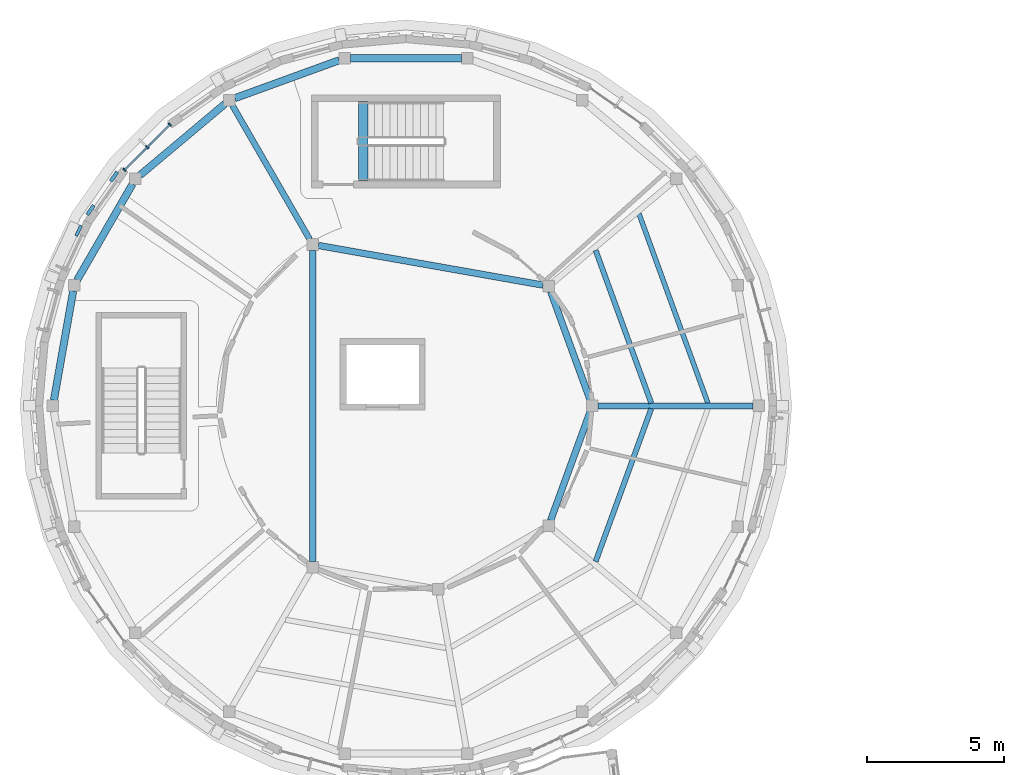
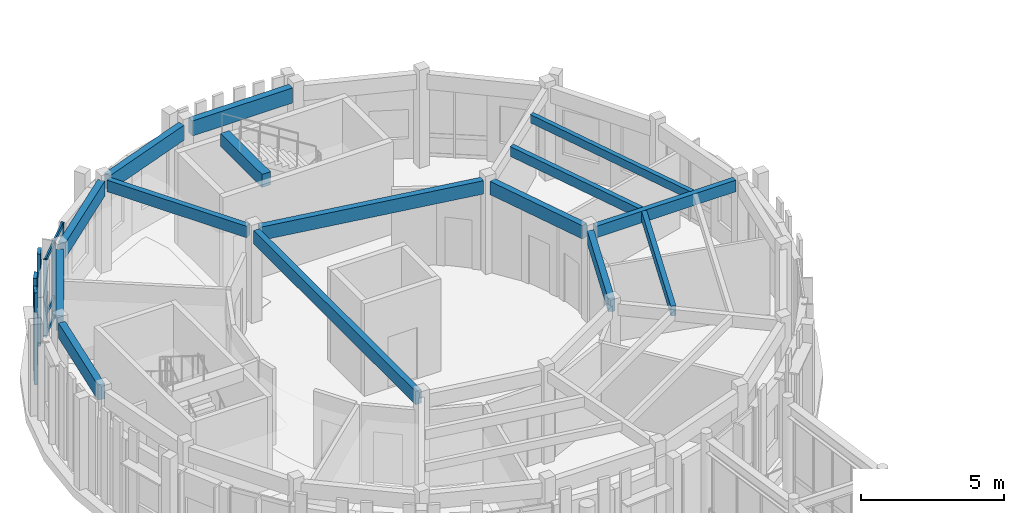
# One storey, part 20 of 80: 15 beams, 9 members, 1 element without a shape of its own.
"""IFC4 building model written with IfcOpenShell, lengths in metres."""

from ifc_helpers import new_model, si_unit, direction, frame, origin, origin_2d, place, context, subcontext, project, spatial, rectangle, extrude, material, layer, layer_set, material_profile, profile_set, type_object, element, aggregate, save


model = new_model("IFC4")

# Units and contexts
model_context = context("Model", 3, precision=1e-05, world=origin(), true_north=direction((0.0, 1.0)))
body_context = subcontext(model_context, "Body", "Model", "MODEL_VIEW")
ifc_project = project(units=[si_unit("LENGTHUNIT", "METRE"), si_unit("AREAUNIT", "SQUARE_METRE"), si_unit("VOLUMEUNIT", "CUBIC_METRE"), si_unit("PLANEANGLEUNIT", "RADIAN"), si_unit("MASSUNIT", "GRAM", prefix="KILO")], contexts=[model_context])

# Site, building, storey
site_placement = place(None, origin())
site = spatial("IfcSite", under=ifc_project, at=site_placement, CompositionType="ELEMENT")
building_placement = place(site_placement, origin())
building = spatial("IfcBuilding", under=site, at=building_placement, Name="Aldenvaro Health Centre", CompositionType="ELEMENT")
storey_placement = place(building_placement, frame((0.0, 0.0, 4.550048828125)))
storey = spatial("IfcBuildingStorey", under=building, at=storey_placement, Name="L01", CompositionType="ELEMENT", Elevation=4.550048828125)

# Beams
ifc_material_1 = material(Name="Glulam GL28h", Category="wood")
ifc_material_profile_1 = material_profile(ifc_material_1, rectangle(XDim=0.175048828125, YDim=0.35009765625, at=origin_2d()), Name="GL 175x350", Category="wood")
ifc_profile_set_1 = profile_set([ifc_material_profile_1], Name="Glulam GL28h")
beam_type_1 = type_object("IfcBeamType", Name="BM-GL-350", PredefinedType="JOIST", material=ifc_profile_set_1)
beam_1_placement = place(storey_placement, frame((29.51904296875, 99.60107421875, 3.780029296875), z_axis=(-0.341985813082, 0.939705115263, 0.0), x_axis=(-0.939705115263, -0.341985813082, 0.0)))
element("IfcBeam", 1, at=beam_1_placement, inside=storey, type_object=beam_type_1, Name="D4 L01 secondary joist 01.2", PredefinedType="JOIST", context=body_context, shape_type="SweptSolid", body=[
    extrude(rectangle(XDim=0.175048828125, YDim=0.35009765625, at=origin_2d()), origin(), (0.0, 0.0, 1.0), 7.34814453125),
])
ifc_material_profile_2 = material_profile(ifc_material_1, rectangle(XDim=0.18994140625, YDim=0.41796875, at=origin_2d()), Name="GL 190x418", Category="wood")
ifc_profile_set_2 = profile_set([ifc_material_profile_2], Name="Glulam GL28h")
beam_type_2 = type_object("IfcBeamType", Name="BM-GL-418", PredefinedType="JOIST", material=ifc_profile_set_2)
for number, where, z_axis, x_axis, name in (
    (2, (27.451904296875, 99.60107421875, 3.745849609375), (-0.341921455433, 0.939728534373, 0.0), (-0.939728534373, -0.341921455433, 0.0), "D4 L01 secondary joist 01.1"),
    (3, (25.423095703125, 93.822998046875, 3.745849609375), (0.341921455433, 0.939728534373, 0.0), (-0.939728534373, 0.341921455433, 0.0), "D4 L01 secondary joist 06.1"),
):
    element("IfcBeam", number, at=place(storey_placement, frame(where, z_axis=z_axis, x_axis=x_axis)), inside=storey, type_object=beam_type_2, Name=name, PredefinedType="JOIST", context=body_context, shape_type="SweptSolid", body=[
        extrude(rectangle(XDim=0.18994140625, YDim=0.41796875, at=origin_2d()), origin(), (0.0, 0.0, 1.0), 5.93359375),
    ])
ifc_material_profile_3 = material_profile(ifc_material_1, rectangle(XDim=0.215087890625, YDim=0.493896484375, at=origin_2d()), Name="GL 215x494", Category="wood")
ifc_profile_set_3 = profile_set([ifc_material_profile_3], Name="Glulam GL28h")
beam_type_3 = type_object("IfcBeamType", Name="BM-GL-494", PredefinedType="BEAM", material=ifc_profile_set_3)
beam_2_placement = place(storey_placement, frame((25.510009765625, 99.5, 3.7080078125), z_axis=(1.0, 0.0, 0.0), x_axis=(0.0, 1.0, 0.0)))
element("IfcBeam", 4, at=beam_2_placement, inside=storey, type_object=beam_type_3, Name="D4 L01 radial beam 01", PredefinedType="BEAM", context=body_context, shape_type="SweptSolid", body=[
    extrude(rectangle(XDim=0.215087890625, YDim=0.493896484375, at=origin_2d()), origin(), (0.0, 0.0, 1.0), 5.659912109375),
])
beam_3_placement = place(storey_placement, frame((14.9951171875, 105.571044921875, 3.7080078125), z_axis=(-0.500073465784, 0.865982984139, 0.0), x_axis=(-0.865982984139, -0.500073465784, 0.0)))
element("IfcBeam", 5, at=beam_3_placement, inside=storey, type_object=beam_type_3, Name="D4 L01 radial beam 03", PredefinedType="BEAM", context=body_context, shape_type="SweptSolid", body=[
    extrude(rectangle(XDim=0.215087890625, YDim=0.493896484375, at=origin_2d()), origin(), (0.0, 0.0, 1.0), 5.659423828125),
])
ifc_material_profile_4 = material_profile(ifc_material_1, rectangle(XDim=0.239990234375, YDim=0.570068359375, at=origin_2d()), Name="GL 240x570", Category="wood")
ifc_profile_set_4 = profile_set([ifc_material_profile_4], Name="Glulam GL28h")
beam_type_4 = type_object("IfcBeamType", Name="BM-GL-570", PredefinedType="BEAM", material=ifc_profile_set_4)
beam_4_placement = place(storey_placement, frame((25.22802734375, 99.697021484375, 3.669921875), z_axis=(-0.34191443591, 0.939731088406, 0.0), x_axis=(-0.939731088406, -0.34191443591, 0.0)))
element("IfcBeam", 6, at=beam_4_placement, inside=storey, type_object=beam_type_4, Name="D4 L01 inner ring beam 01", PredefinedType="BEAM", context=body_context, shape_type="SweptSolid", body=[
    extrude(rectangle(XDim=0.239990234375, YDim=0.570068359375, at=origin_2d()), origin(), (0.0, 0.0, 1.0), 4.232177734375),
])
beam_5_placement = place(storey_placement, frame((23.501953125, 103.906982421875, 3.669921875), z_axis=(-0.984786512159, 0.173768597477, 0.0), x_axis=(-0.173768597477, -0.984786512159, 0.0)))
element("IfcBeam", 7, at=beam_5_placement, inside=storey, type_object=beam_type_4, Name="D4 L01 inner ring beam 02", PredefinedType="BEAM", context=body_context, shape_type="SweptSolid", body=[
    extrude(rectangle(XDim=0.239990234375, YDim=0.570068359375, at=origin_2d()), origin(), (0.0, 0.0, 1.0), 8.32177734375),
])
beam_6_placement = place(storey_placement, frame((15.10009765625, 105.178955078125, 3.669921875), z_axis=(0.0, -1.0, 0.0), x_axis=(1.0, 0.0, 0.0)))
element("IfcBeam", 8, at=beam_6_placement, inside=storey, type_object=beam_type_4, Name="D4 L01 inner ring beam 03", PredefinedType="BEAM", context=body_context, shape_type="SweptSolid", body=[
    extrude(rectangle(XDim=0.239990234375, YDim=0.570068359375, at=origin_2d()), origin(), (0.0, 0.0, 1.0), 11.35791015625),
])
beam_7_placement = place(storey_placement, frame((23.781005859375, 95.325927734375, 3.669921875), z_axis=(0.34191443591, 0.939731088406, 0.0), x_axis=(-0.939731088406, 0.34191443591, 0.0)))
element("IfcBeam", 9, at=beam_7_placement, inside=storey, type_object=beam_type_4, Name="D4 L01 inner ring beam 06", PredefinedType="BEAM", context=body_context, shape_type="SweptSolid", body=[
    extrude(rectangle(XDim=0.239990234375, YDim=0.570068359375, at=origin_2d()), origin(), (0.0, 0.0, 1.0), 4.232177734375),
])
ifc_material_profile_5 = material_profile(ifc_material_1, rectangle(XDim=0.264892578125, YDim=0.64599609375, at=origin_2d()), Name="GL 265x646", Category="wood")
ifc_profile_set_5 = profile_set([ifc_material_profile_5], Name="Glulam GL28h")
beam_type_5 = type_object("IfcBeamType", Name="BM-GL-646", PredefinedType="SPANDREL", material=ifc_profile_set_5)
beam_8_placement = place(storey_placement, frame((20.527099609375, 112.18408203125, 3.6318359375), z_axis=(-1.0, 0.0, 0.0), x_axis=(0.0, -1.0, 0.0)))
element("IfcBeam", 10, at=beam_8_placement, inside=storey, type_object=beam_type_5, Name="D4 L01 perimeter spandrel 05", PredefinedType="SPANDREL", context=body_context, shape_type="SweptSolid", body=[
    extrude(rectangle(XDim=0.264892578125, YDim=0.64599609375, at=origin_2d()), origin(), (0.0, 0.0, 1.0), 4.05419921875),
])
beam_9_placement = place(storey_placement, frame((16.06591796875, 112.112060546875, 3.6318359375), z_axis=(-0.939717777656, -0.341951017483, 0.0), x_axis=(0.341951017483, -0.939717777656, 0.0)))
element("IfcBeam", 11, at=beam_9_placement, inside=storey, type_object=beam_type_5, Name="D4 L01 perimeter spandrel 06", PredefinedType="SPANDREL", context=body_context, shape_type="SweptSolid", body=[
    extrude(rectangle(XDim=0.264892578125, YDim=0.64599609375, at=origin_2d()), origin(), (0.0, 0.0, 1.0), 4.05322265625),
])
beam_10_placement = place(storey_placement, frame((11.89892578125, 110.51904296875, 3.6318359375), z_axis=(-0.766093948171, -0.642728607248, 0.0), x_axis=(0.642728607248, -0.766093948171, 0.0)))
element("IfcBeam", 12, at=beam_10_placement, inside=storey, type_object=beam_type_5, Name="D4 L01 perimeter spandrel 07", PredefinedType="SPANDREL", context=body_context, shape_type="SweptSolid", body=[
    extrude(rectangle(XDim=0.264892578125, YDim=0.64599609375, at=origin_2d()), origin(), (0.0, 0.0, 1.0), 4.052978515625),
])
for number, where, z_axis, x_axis, name in (
    (13, (8.528076171875, 107.596923828125, 3.6318359375), (-0.499929300108, -0.866066218539, 0.0), (0.866066218539, -0.499929300108, 0.0), "D4 L01 perimeter spandrel 08"),
    (14, (6.361083984375, 103.697998046875, 3.6318359375), (-0.173974340087, -0.984750186083, 0.0), (0.984750186083, -0.173974340087, 0.0), "D4 L01 perimeter spandrel 09"),
):
    element("IfcBeam", number, at=place(storey_placement, frame(where, z_axis=z_axis, x_axis=x_axis)), inside=storey, type_object=beam_type_5, Name=name, PredefinedType="SPANDREL", context=body_context, shape_type="SweptSolid", body=[
        extrude(rectangle(XDim=0.264892578125, YDim=0.64599609375, at=origin_2d()), origin(), (0.0, 0.0, 1.0), 4.052734375),
    ])
ifc_material_2 = material(Name="Concrete f'c 40 MPa", Category="concrete")
ifc_material_profile_6 = material_profile(ifc_material_2, rectangle(XDim=0.35009765625, YDim=0.56005859375, at=origin_2d()), Name="RC 350x560", Category="concrete")
ifc_profile_set_6 = profile_set([ifc_material_profile_6], Name="Concrete f'c 40 MPa")
beam_type_6 = type_object("IfcBeamType", Name="BM-RC-560", PredefinedType="JOIST", material=ifc_profile_set_6)
beam_11_placement = place(storey_placement, frame((16.949951171875, 107.699951171875, 3.919921875), z_axis=(0.0, 1.0, 0.0), x_axis=(-1.0, 0.0, 0.0)))
element("IfcBeam", 15, at=beam_11_placement, inside=storey, type_object=beam_type_6, Name="ST-07 L02 stair landing trimmer beam", PredefinedType="JOIST", context=body_context, shape_type="SweptSolid", body=[
    extrude(rectangle(XDim=0.35009765625, YDim=0.56005859375, at=origin_2d()), origin(), (0.0, 0.0, 1.0), 2.900146484375),
])

# Curtain wall, members
ifc_material_3 = material(Name="Anodised Aluminium 6063-T6", Category="aluminium")
ifc_layer = layer(ifc_material_3, 0.195068359375, Name="Anodised Aluminium 6063-T6", Category="aluminium")
ifc_layer_set = layer_set([ifc_layer], Name="Anodised Aluminium 6063-T6")
curtain_wall_type = type_object("IfcCurtainWallType", Name="CW-CLN-02", PredefinedType="NOTDEFINED", material=ifc_layer_set)
curtain_wall_placement = place(storey_placement, origin())
curtain_wall = element("IfcCurtainWall", 16, at=curtain_wall_placement, inside=storey, type_object=curtain_wall_type, Name="D4 L01 curtain wall bay 23", PredefinedType="NOTDEFINED")
ifc_material_profile_7 = material_profile(ifc_material_3, rectangle(XDim=0.06005859375, YDim=0.135009765625, at=origin_2d()), Name="ALU 60x135", Category="aluminium")
ifc_profile_set_7 = profile_set([ifc_material_profile_7], Name="Anodised Aluminium 6063-T6")
member_type_1 = type_object("IfcMemberType", Name="CWM-150", PredefinedType="MULLION", material=ifc_profile_set_7)
member_1_placement = place(storey_placement, frame((8.235107421875, 108.113037109375, 0.0), z_axis=(0.0, 0.0, 1.0), x_axis=(0.707106781187, 0.707106781187, 0.0)))
member_1 = element("IfcMember", 17, at=member_1_placement, type_object=member_type_1, Name="D4 L01 curtain wall bay 23 mullion 1", PredefinedType="MULLION", context=body_context, shape_type="SweptSolid", body=[
    extrude(rectangle(XDim=0.06005859375, YDim=0.135009765625, at=origin_2d()), origin(), (0.0, 0.0, 1.0), 3.308837890625),
])
member_2_placement = place(storey_placement, frame((9.06103515625, 108.93896484375, 0.0), z_axis=(0.0, 0.0, 1.0), x_axis=(0.707106781187, 0.707106781187, 0.0)))
member_2 = element("IfcMember", 18, at=member_2_placement, type_object=member_type_1, Name="D4 L01 curtain wall bay 23 mullion 2", PredefinedType="MULLION", context=body_context, shape_type="SweptSolid", body=[
    extrude(rectangle(XDim=0.06005859375, YDim=0.135009765625, at=origin_2d()), origin(), (0.0, 0.0, 1.0), 3.308837890625),
])
member_3_placement = place(storey_placement, frame((9.886962890625, 109.764892578125, 0.0), z_axis=(0.0, 0.0, 1.0), x_axis=(0.707106781187, 0.707106781187, 0.0)))
member_3 = element("IfcMember", 19, at=member_3_placement, type_object=member_type_1, Name="D4 L01 curtain wall bay 23 mullion 3", PredefinedType="MULLION", context=body_context, shape_type="SweptSolid", body=[
    extrude(rectangle(XDim=0.06005859375, YDim=0.135009765625, at=origin_2d()), origin(), (0.0, 0.0, 1.0), 3.308837890625),
])
ifc_material_profile_8 = material_profile(ifc_material_3, rectangle(XDim=0.06494140625, YDim=0.179931640625, at=origin_2d()), Name="ALU 65x180", Category="aluminium")
ifc_profile_set_8 = profile_set([ifc_material_profile_8], Name="Anodised Aluminium 6063-T6")
member_type_2 = type_object("IfcMemberType", Name="CWT-150", PredefinedType="USERDEFINED", material=ifc_profile_set_8)
member_4_placement = place(storey_placement, frame((8.235107421875, 108.113037109375, 0.06005859375), z_axis=(0.707106781187, 0.707106781187, 0.0), x_axis=(-0.707106781187, 0.707106781187, 0.0)))
member_4 = element("IfcMember", 20, at=member_4_placement, type_object=member_type_2, Name="D4 L01 curtain wall bay 23 transom 1", ObjectType="TRANSOM", PredefinedType="USERDEFINED", context=body_context, shape_type="SweptSolid", body=[
    extrude(rectangle(XDim=0.06494140625, YDim=0.179931640625, at=origin_2d()), origin(), (0.0, 0.0, 1.0), 2.336181640625),
])
member_5_placement = place(storey_placement, frame((8.235107421875, 108.113037109375, 0.89990234375), z_axis=(0.707106781187, 0.707106781187, 0.0), x_axis=(-0.707106781187, 0.707106781187, 0.0)))
member_5 = element("IfcMember", 21, at=member_5_placement, type_object=member_type_2, Name="D4 L01 curtain wall bay 23 transom 2", ObjectType="TRANSOM", PredefinedType="USERDEFINED", context=body_context, shape_type="SweptSolid", body=[
    extrude(rectangle(XDim=0.06494140625, YDim=0.179931640625, at=origin_2d()), origin(), (0.0, 0.0, 1.0), 2.336181640625),
])
member_6_placement = place(storey_placement, frame((8.235107421875, 108.113037109375, 3.2490234375), z_axis=(0.707106781187, 0.707106781187, 0.0), x_axis=(-0.707106781187, 0.707106781187, 0.0)))
member_6 = element("IfcMember", 22, at=member_6_placement, type_object=member_type_2, Name="D4 L01 curtain wall bay 23 transom 3", ObjectType="TRANSOM", PredefinedType="USERDEFINED", context=body_context, shape_type="SweptSolid", body=[
    extrude(rectangle(XDim=0.06494140625, YDim=0.179931640625, at=origin_2d()), origin(), (0.0, 0.0, 1.0), 2.336181640625),
])
aggregate(curtain_wall, [member_1, member_2, member_3, member_4, member_5, member_6])

# Members
ifc_material_profile_9 = material_profile(ifc_material_1, rectangle(XDim=0.114990234375, YDim=0.419921875, at=origin_2d()), Name="GL 115x420", Category="wood")
ifc_profile_set_9 = profile_set([ifc_material_profile_9], Name="Glulam GL28h")
member_type_3 = type_object("IfcMemberType", Name="MEM-SLT-420A", PredefinedType="POST", material=ifc_profile_set_9)
member_7_placement = place(storey_placement, frame((6.55908203125, 105.89306640625, 0.0), z_axis=(0.0, 0.0, 1.0), x_axis=(-0.90633620484, 0.422557314215, 0.0)))
element("IfcMember", 23, at=member_7_placement, inside=storey, type_object=member_type_3, Name="D4 L01 vertical timber slat 21.3", PredefinedType="POST", context=body_context, shape_type="SweptSolid", body=[
    extrude(rectangle(XDim=0.114990234375, YDim=0.419921875, at=origin_2d()), origin(), (0.0, 0.0, 1.0), 3.954833984375),
])
ifc_material_profile_10 = material_profile(ifc_material_1, rectangle(XDim=0.1298828125, YDim=0.419921875, at=origin_2d()), Name="GL 130x420", Category="wood")
ifc_profile_set_10 = profile_set([ifc_material_profile_10], Name="Glulam GL28h")
member_type_4 = type_object("IfcMemberType", Name="MEM-SLT-420B", PredefinedType="POST", material=ifc_profile_set_10)
for number, where, z_axis, x_axis, name in (
    (24, (6.992919921875, 106.64404296875, 0.0), (0.0, 0.0, 1.0), (-0.819050849853, 0.573720929857, 0.0), "D4 L01 vertical timber slat 22.1"),
    (25, (7.85107421875, 107.868896484375, 0.0), (0.0, 0.0, 1.0), (-0.819050849853, 0.573720929857, 0.0), "D4 L01 vertical timber slat 22.3"),
):
    element("IfcMember", number, at=place(storey_placement, frame(where, z_axis=z_axis, x_axis=x_axis)), inside=storey, type_object=member_type_4, Name=name, PredefinedType="POST", context=body_context, shape_type="SweptSolid", body=[
        extrude(rectangle(XDim=0.1298828125, YDim=0.419921875, at=origin_2d()), origin(), (0.0, 0.0, 1.0), 3.954833984375),
    ])

save(model, "model.ifc")
